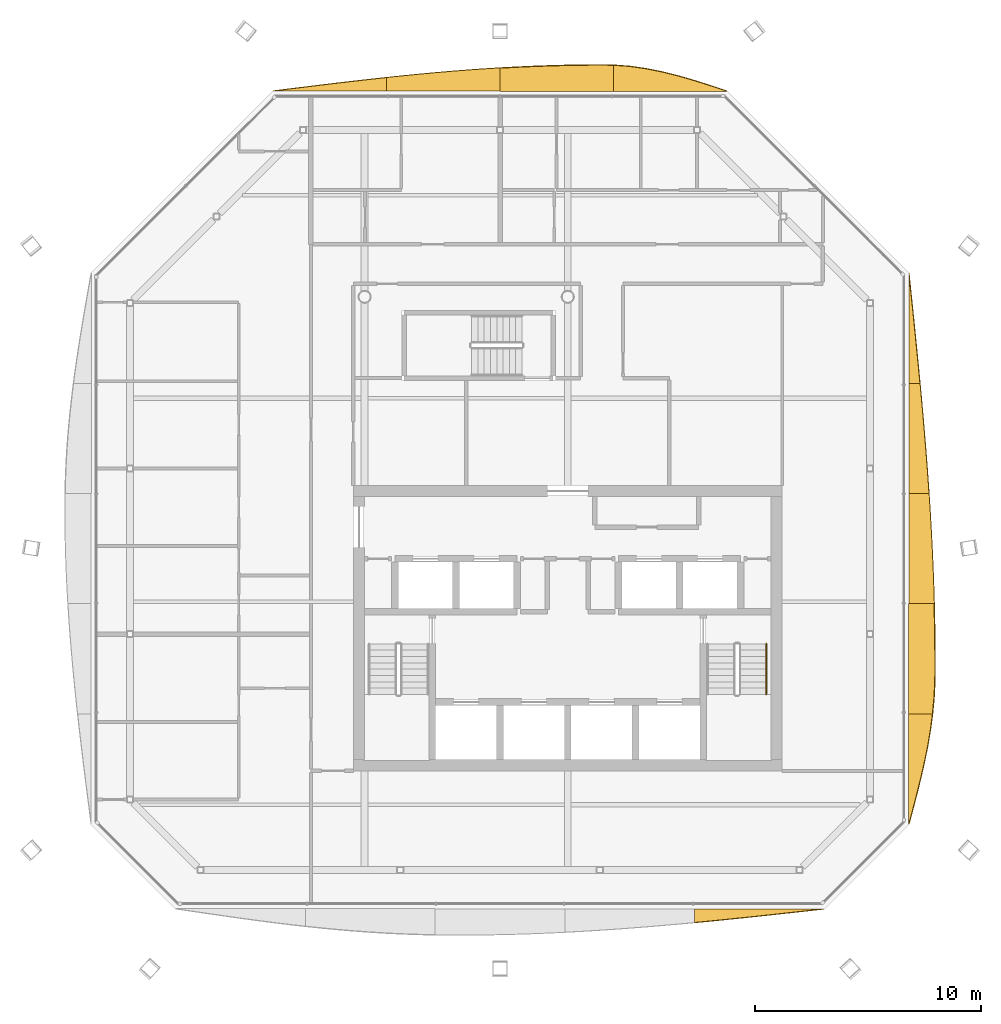
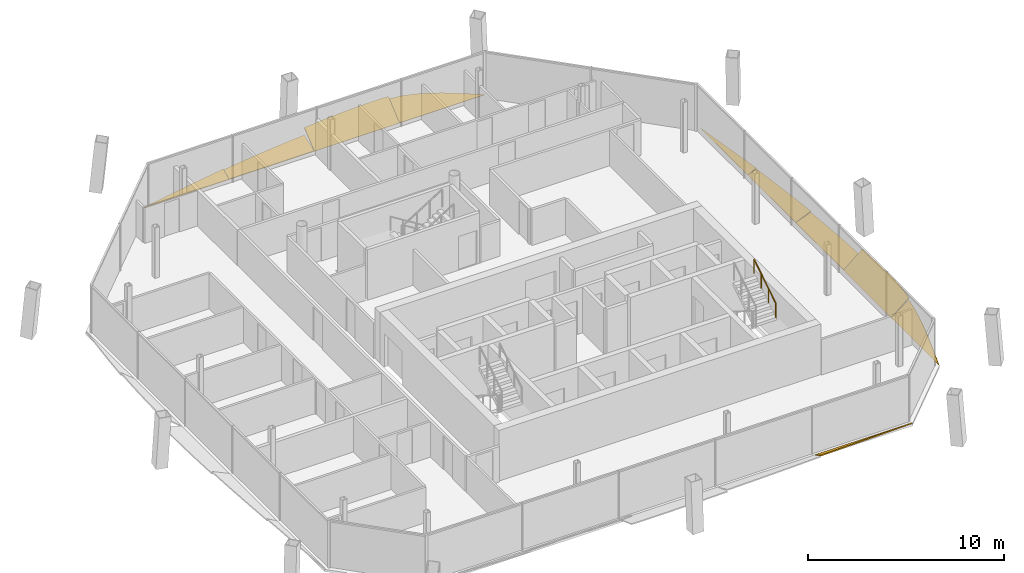
# One storey, part 15 of 15: 10 shading devices, 1 railing.
"""IFC4 building model written with IfcOpenShell, lengths in metres."""

import ifcopenshell
import ifcopenshell.guid

model = None  # the IFC model being written
_history = None  # IfcOwnerHistory: only IFC2X3 demands one
_inside = {}  # id of a spatial element -> (the spatial element, [elements in it])
_under = {}  # id of a project, library or spatial element -> (it, [spatial elements below it])
_declared = {}  # id of a project -> (the project, [libraries it declares])
_typed = {}  # id of a type object -> (the type object, [elements of that type])
_made_of = {}  # id of a material, layer set ... -> (it, [elements and type objects made of it])


def new_model(schema):
    """Start an empty IFC model of exactly this schema.

    Asked for "IFC4X3", IfcOpenShell would pick the latest addendum, in which some entities
    have other attributes; the version numbers below select the first issue.
    IFC2X3 requires an IfcOwnerHistory on every rooted entity: one is made here for all.
    """
    global model, _history
    if schema == "IFC4X3":
        model = ifcopenshell.file(schema_version=(4, 3, 0, 0))
    else:
        model = ifcopenshell.file(schema=schema)
    _inside.clear()
    _under.clear()
    _declared.clear()
    _typed.clear()
    _made_of.clear()
    _history = None
    if model.schema == "IFC2X3":
        org = make("IfcOrganization", Name="unknown")
        user = make(
            "IfcPersonAndOrganization",
            ThePerson=make("IfcPerson", FamilyName="unknown"),
            TheOrganization=org,
        )
        app = make(
            "IfcApplication",
            ApplicationDeveloper=org,
            Version="unknown",
            ApplicationFullName="unknown",
            ApplicationIdentifier="unknown",
        )
        _history = make(
            "IfcOwnerHistory",
            OwningUser=user,
            OwningApplication=app,
            ChangeAction="ADDED",
            CreationDate=0,
        )
    return model


def make(cls, **values):
    """One entity of the class cls with the attributes given. An attribute that is None is left unset."""
    return model.create_entity(
        cls, **{name: value for name, value in values.items() if value is not None}
    )


def rooted(cls, **values):
    """An entity with a GlobalId (a new one), such as an element, a storey or a relation."""
    return make(cls, GlobalId=ifcopenshell.guid.new(), OwnerHistory=_history, **values)


def si_unit(unit_type, name, prefix=None):
    """IfcSIUnit, for example si_unit("LENGTHUNIT", "METRE", prefix="MILLI")."""
    return make("IfcSIUnit", UnitType=unit_type, Prefix=prefix, Name=name)


def assignment(units):
    """IfcUnitAssignment: the units of a project."""
    return None if units is None else make("IfcUnitAssignment", Units=units)


def point(xyz):
    """IfcCartesianPoint."""
    return None if xyz is None else make("IfcCartesianPoint", Coordinates=xyz)


def direction(xyz):
    """IfcDirection."""
    return None if xyz is None else make("IfcDirection", DirectionRatios=xyz)


def frame(location, z_axis=None, x_axis=None):
    """IfcAxis2Placement3D, a coordinate frame: its origin and axes. An axis left out is left unset."""
    return make(
        "IfcAxis2Placement3D",
        Location=point(location),
        Axis=direction(z_axis),
        RefDirection=direction(x_axis),
    )


def frame_2d(location, x_axis=None):
    """IfcAxis2Placement2D, a coordinate frame in the plane: its origin and x axis."""
    return make(
        "IfcAxis2Placement2D", Location=point(location), RefDirection=direction(x_axis)
    )


def origin():
    """The frame at (0, 0, 0) with its axes left unset."""
    return frame((0.0, 0.0, 0.0))


def origin_2d():
    """The frame at (0, 0) in the plane with its x axis left unset."""
    return frame_2d((0.0, 0.0))


def place(relative_to, where):
    """IfcLocalPlacement: puts the frame where relative to a parent placement (None: the world)."""
    return make(
        "IfcLocalPlacement", PlacementRelTo=relative_to, RelativePlacement=where
    )


def context(
    kind, dimensions, precision=None, world=None, true_north=None, identifier=None
):
    """IfcGeometricRepresentationContext, for example the 3D "Model" context."""
    return make(
        "IfcGeometricRepresentationContext",
        ContextIdentifier=identifier,
        ContextType=kind,
        CoordinateSpaceDimension=dimensions,
        Precision=precision,
        WorldCoordinateSystem=world,
        TrueNorth=true_north,
    )


def subcontext(parent, identifier, kind, view, scale=None):
    """IfcGeometricRepresentationSubContext, for example "Body" below "Model"."""
    return make(
        "IfcGeometricRepresentationSubContext",
        ContextIdentifier=identifier,
        ContextType=kind,
        ParentContext=parent,
        TargetScale=scale,
        TargetView=view,
    )


def project(units=None, contexts=None):
    """IfcProject with its units and contexts."""
    return rooted(
        "IfcProject",
        Name="project",
        RepresentationContexts=contexts,
        UnitsInContext=assignment(units),
    )


def spatial(cls, under=None, at=None, **own):
    """A site, building, storey or space (cls), placed at a placement, below another one or the project."""
    s = rooted(cls, ObjectPlacement=at, **own)
    if under is not None:
        _under.setdefault(under.id(), (under, []))[1].append(s)
    return s


def polyline(points):
    """IfcPolyline through the points."""
    return make("IfcPolyline", Points=[point(p) for p in points])


def profile(cls, at=None, kind="AREA", **sizes):
    """A parametric profile (cls). Its sizes go by their IFC names, for example OverallWidth=200.0."""
    return make(cls, ProfileType=kind, Position=at, **sizes)


def circle(**sizes):
    """IfcCircleProfileDef."""
    return profile("IfcCircleProfileDef", **sizes)


def outline(outer, holes=None, kind="AREA"):
    """IfcArbitraryClosedProfileDef: a profile drawn as a closed curve; with holes, ...WithVoids."""
    if holes is None:
        return make("IfcArbitraryClosedProfileDef", ProfileType=kind, OuterCurve=outer)
    return make(
        "IfcArbitraryProfileDefWithVoids",
        ProfileType=kind,
        OuterCurve=outer,
        InnerCurves=holes,
    )


def extrude(swept, where, along, depth):
    """IfcExtrudedAreaSolid: the profile swept, set in the frame where, extruded along a direction by depth."""
    return make(
        "IfcExtrudedAreaSolid",
        SweptArea=swept,
        Position=where,
        ExtrudedDirection=direction(along),
        Depth=depth,
    )


def shape(context_of_items, identifier, shape_type, items):
    """IfcShapeRepresentation: the items that make up one representation, for example the "Body"."""
    return make(
        "IfcShapeRepresentation",
        ContextOfItems=context_of_items,
        RepresentationIdentifier=identifier,
        RepresentationType=shape_type,
        Items=items,
    )


def material(Name=None, Category=None):
    """IfcMaterial."""
    return make("IfcMaterial", Name=Name, Category=Category)


def layer(
    of_material, thickness, ventilated=None, Name=None, Category=None, Priority=None
):
    """IfcMaterialLayer: one layer of a wall or slab, of a material (None: an air gap)."""
    return make(
        "IfcMaterialLayer",
        Material=of_material,
        LayerThickness=thickness,
        IsVentilated=ventilated,
        Name=Name,
        Category=Category,
        Priority=Priority,
    )


def layer_set(layers, Name=None):
    """IfcMaterialLayerSet."""
    return make("IfcMaterialLayerSet", MaterialLayers=layers, LayerSetName=Name)


def made_of(thing, what):
    """Note that an element or type object is made of a material, layer set ...; save() writes the relation."""
    if what is not None:
        _made_of.setdefault(what.id(), (what, []))[1].append(thing)
    return thing


def type_object(cls, material=None, **own):
    """A type object (cls), such as IfcWallType, which elements share."""
    return made_of(rooted(cls, **own), material)


def element(
    cls,
    number,
    at=None,
    inside=None,
    cuts=None,
    type_object=None,
    material=None,
    context=None,
    identifier="Body",
    shape_type=None,
    held_by="IfcProductDefinitionShape",
    body=None,
    shapes=None,
    **own,
):
    """One element of the class cls, such as IfcWall. Its Tag is "e" and its number.

    at: its placement. inside: the storey or other place that contains it. cuts: it is an
    opening in that element (IfcRelVoidsElement). A single representation is given by context,
    identifier, shape_type and body (its items); several are given by shapes. held_by: the class
    of the entity that holds the representations. save() writes the other relations.
    """
    e = rooted(cls, Tag="e%d" % number, ObjectPlacement=at, **own)
    if body is not None:
        shapes = [shape(context, identifier, shape_type, body)]
    if shapes is not None:
        e.Representation = make(held_by, Representations=shapes)
    if inside is not None:
        _inside.setdefault(inside.id(), (inside, []))[1].append(e)
    if cuts is not None:
        rooted(
            "IfcRelVoidsElement", RelatingBuildingElement=cuts, RelatedOpeningElement=e
        )
    if type_object is not None:
        _typed.setdefault(type_object.id(), (type_object, []))[1].append(e)
    return made_of(e, material)


def aggregate(whole, parts):
    """IfcRelAggregates: a whole, such as a stair, and the parts it consists of."""
    return rooted("IfcRelAggregates", RelatingObject=whole, RelatedObjects=parts)


def save(model, path):
    """Write the relations noted so far, then the file.

    IfcRelAggregates (storeys below a building ...), IfcRelContainedInSpatialStructure (elements
    in a storey), IfcRelDefinesByType, IfcRelAssociatesMaterial and IfcRelDeclares: one each for
    every whole, place, type object, material and project.
    """
    for whole, parts in _under.values():
        aggregate(whole, parts)
    for where, things in _inside.values():
        rooted(
            "IfcRelContainedInSpatialStructure",
            RelatedElements=things,
            RelatingStructure=where,
        )
    for kind, things in _typed.values():
        rooted("IfcRelDefinesByType", RelatedObjects=things, RelatingType=kind)
    for what, things in _made_of.values():
        rooted("IfcRelAssociatesMaterial", RelatedObjects=things, RelatingMaterial=what)
    for by, libraries in _declared.values():
        rooted("IfcRelDeclares", RelatingContext=by, RelatedDefinitions=libraries)
    model.write(path)


model = new_model("IFC4")

# Units and contexts
model_context = context("Model", 3, precision=1e-05, world=origin(), true_north=direction((0.0, 1.0)))
body_context = subcontext(model_context, "Body", "Model", "MODEL_VIEW")
ifc_project = project(units=[si_unit("LENGTHUNIT", "METRE"), si_unit("AREAUNIT", "SQUARE_METRE"), si_unit("VOLUMEUNIT", "CUBIC_METRE"), si_unit("PLANEANGLEUNIT", "RADIAN"), si_unit("MASSUNIT", "GRAM", prefix="KILO")], contexts=[model_context])

# Site, building, storey
site_placement = place(None, origin())
site = spatial("IfcSite", under=ifc_project, at=site_placement, CompositionType="ELEMENT")
building_placement = place(site_placement, origin())
building = spatial("IfcBuilding", under=site, at=building_placement, Name="Tskaro Facet Tower", CompositionType="ELEMENT")
storey_placement = place(building_placement, frame((0.0, 0.0, 239.25)))
storey = spatial("IfcBuildingStorey", under=building, at=storey_placement, Name="L62", CompositionType="ELEMENT", Elevation=239.25)

# Shading devices
ifc_material_1 = material(Name="Bronze anodised aluminium 6063-T6", Category="aluminium")
ifc_layer = layer(ifc_material_1, 0.06005859375, Name="Bronze anodised aluminium 6063-T6")
ifc_layer_set = layer_set([ifc_layer], Name="Bronze anodised aluminium 6063-T6")
shading_device_type = type_object("IfcShadingDeviceType", Name="Bronze sun blade (FN1)", PredefinedType="USERDEFINED", material=ifc_layer_set)
shading_device_1_placement = place(storey_placement, frame((5.6142578125, -18.10888671875, 0.052001953125), z_axis=(1.2767908e-05, 0.499765399402, 0.866160808047), x_axis=(0.999999999918, -6.380958e-06, -1.1059061e-05)))
element("IfcShadingDevice", 1, at=shading_device_1_placement, inside=storey, type_object=shading_device_type, Name="Fin blade south 5", ObjectType="FIN", PredefinedType="USERDEFINED", context=body_context, shape_type="SweptSolid", body=[
    extrude(outline(polyline([(0.0, 0.0), (5.742675780781917, 0.0), (5.024902345164131, -0.09208751937252466), (4.307128904872791, -0.18354064362191597), (3.589111328940668, -0.27420479867829833), (2.871337891244201, -0.3635676024555118), (2.1535644523005253, -0.45129557687553845), (1.4355468737688906, -0.5367217657823428), (0.717773436899257, -0.6198461691759247), (-9.069429287439368e-10, -0.6999123788961776), (0.0, 0.0)])), origin(), (0.0, 0.0, -1.0), 0.06005859375),
])
shading_device_2_placement = place(storey_placement, frame((15.1044921875, -14.35693359375, 0.049072265625), z_axis=(-0.573587916908, -1.1432785e-05, 0.819144005317), x_axis=(-6.557708e-06, 0.999999999935, 9.365098e-06)))
element("IfcShadingDevice", 2, at=shading_device_2_placement, inside=storey, type_object=shading_device_type, Name="Fin blade east 1", ObjectType="FIN", PredefinedType="USERDEFINED", context=body_context, shape_type="SweptSolid", body=[
    extrude(outline(polyline([(0.0, 0.0), (4.881835937180951, 4.135075882152585e-21), (4.881835937906982, -1.2819299738617114), (4.184326171155234, -1.1680055178575965), (3.486816405371319, -1.0237398922609762), (2.7895507809447895, -0.8529932443673396), (2.092041017075647, -0.6599657439141473), (1.394775391346218, -0.44979754206914024), (0.6972656234116925, -0.22790886222513018), (0.0, 0.0)])), origin(), (0.0, 0.0, -1.0), 0.06005859375),
])
shading_device_3_placement = place(storey_placement, frame((15.100341796875, -9.47509765625, 0.0458984375), z_axis=(-0.642795497638, 1.3181781e-05, 0.766037824159), x_axis=(8.47319e-06, 0.999999999913, -1.0097743e-05)))
element("IfcShadingDevice", 3, at=shading_device_3_placement, inside=storey, type_object=shading_device_type, Name="Fin blade east 2", ObjectType="FIN", PredefinedType="USERDEFINED", context=body_context, shape_type="SweptSolid", body=[
    extrude(outline(polyline([(0.0, 0.0), (4.8815917964508895, 0.0), (4.881591798198105, -1.4624292581770688), (4.184326170941252, -1.4842487676774578), (3.486816407336681, -1.5003780010609185), (2.789550779566513, -1.5107567814101988), (2.092041015448628, -1.5154452856425504), (1.9038085935899816, -1.5154452856425504), (1.3947753912713026, -1.5048794843400901), (0.6972656239647109, -1.4568658260960683), (1.0596900323922055e-10, -1.3707464924736428), (0.0, 0.0)])), origin(), (0.0, 0.0, -1.0), 0.06005859375),
])
shading_device_4_placement = place(storey_placement, frame((15.118408203125, -4.593505859375, 0.056396484375), z_axis=(-0.342012717691, -5.490502e-06, 0.939695323447), x_axis=(-1.877822e-06, 0.999999999985, 5.159399e-06)))
element("IfcShadingDevice", 4, at=shading_device_4_placement, inside=storey, type_object=shading_device_type, Name="Fin blade east 3", ObjectType="FIN", PredefinedType="USERDEFINED", context=body_context, shape_type="SweptSolid", body=[
    extrude(outline(polyline([(0.0, 0.0), (4.881835937426417, -1.0337689705381463e-21), (4.881835937427334, -0.9444031558330095), (4.184570312477048, -0.9922104780015712), (3.487060546679292, -1.0358461201209266), (2.789794921626773, -1.0758524169968902), (2.0922851561852367, -1.1114576160200682), (1.395019531146224, -1.1428911349940396), (0.6975097661766465, -1.1696941383116461), (-2.7502284718630774e-10, -1.1922419623813898), (0.0, 0.0)])), origin(), (0.0, 0.0, -1.0), 0.06005859375),
])
shading_device_5_placement = place(storey_placement, frame((15.113525390625, 0.288330078125, 0.054443359375), z_axis=(-0.422444933481, 1.8498443e-05, 0.906388590966), x_axis=(7.814574e-06, 0.999999999829, -1.6766778e-05)))
element("IfcShadingDevice", 5, at=shading_device_5_placement, inside=storey, type_object=shading_device_type, Name="Fin blade east 4", ObjectType="FIN", PredefinedType="USERDEFINED", context=body_context, shape_type="SweptSolid", body=[
    extrude(outline(polyline([(0.0, 0.0), (4.881835936664737, -4.135075882152585e-21), (4.88183593862996, -0.5400079817229766), (4.184570313928399, -0.6111132832081138), (3.487060547804991, -0.6798144643186644), (2.789550778976842, -0.7458902387774993), (2.0922851562558122, -0.8091343346444068), (1.3947753904828235, -0.8692073153352342), (0.6975097629077925, -0.9261091808499816), (-1.4401487582630995e-09, -0.979412372971308), (0.0, 0.0)])), origin(), (0.0, 0.0, -1.0), 0.06005859375),
])
shading_device_6_placement = place(storey_placement, frame((15.10888671875, 5.170166015625, 0.052001953125), z_axis=(-0.499569928924, 3.2305677e-05, 0.866273562491), x_axis=(1.6138945e-05, 0.999999999478, -2.7985554e-05)))
element("IfcShadingDevice", 6, at=shading_device_6_placement, inside=storey, type_object=shading_device_type, Name="Fin blade east 5", ObjectType="FIN", PredefinedType="USERDEFINED", context=body_context, shape_type="SweptSolid", body=[
    extrude(outline(polyline([(0.0, 0.0), (4.8818359349525196, 0.0), (4.1843261744726234, -0.08333590395327173), (3.4870605467372577, -0.16624882276838762), (2.7895507773290853, -0.24861679113060528), (2.0922851572225007, -0.329984385841362), (1.3947753904550049, -0.4100505870772443), (0.6975097611685807, -0.48848193695443193), (-5.054105738668658e-09, -0.5651564701581824), (0.0, 0.0)])), origin(), (0.0, 0.0, -1.0), 0.06005859375),
])
shading_device_7_placement = place(storey_placement, frame((7.052001953125, 18.1044921875, 0.049072265625), z_axis=(5.510992e-06, -0.573581527587, 0.819148479325), x_axis=(-0.999999999985, -3.161003e-06, 4.514321e-06)))
element("IfcShadingDevice", 7, at=shading_device_7_placement, inside=storey, type_object=shading_device_type, Name="Fin blade north 1", ObjectType="FIN", PredefinedType="USERDEFINED", context=body_context, shape_type="SweptSolid", body=[
    extrude(outline(polyline([(0.0, 0.0), (5.026123046798675, -2.1286459088286476e-21), (5.026123046883925, -1.4058747955770783), (4.308105468933327, -1.3394322103238565), (3.5900878906977263, -1.2160273974702214), (2.872070312613676, -1.0410805797912757), (2.154052734124138, -0.8219720302246574), (1.4360351558827427, -0.5683221409758115), (0.7180175781017923, -0.29029131364624483), (0.0, 0.0)])), origin(), (0.0, 0.0, -1.0), 0.06005859375),
])
shading_device_8_placement = place(storey_placement, frame((2.02587890625, 18.100341796875, 0.0458984375), z_axis=(6.265915e-06, -0.642780771511, 0.766050180952), x_axis=(-0.99999999998, -4.02761e-06, 4.800005e-06)))
element("IfcShadingDevice", 8, at=shading_device_8_placement, inside=storey, type_object=shading_device_type, Name="Fin blade north 2", ObjectType="FIN", PredefinedType="USERDEFINED", context=body_context, shape_type="SweptSolid", body=[
    extrude(outline(polyline([(0.0, 0.0), (5.025878906151338, -2.1285425112520785e-21), (5.0258789066168035, -1.33573639694362), (4.307861328397393, -1.3870326575128016), (3.5898437499625855, -1.4300138590784037), (2.871826171123809, -1.4643360487711665), (2.15380859403624, -1.489969131520425), (1.4357910153728264, -1.5067862734975461), (0.7177734372887452, -1.514757379631865), (0.4421386720463025, -1.5154452853703857), (4.545998602496136e-11, -1.5033166497342774), (0.0, 0.0)])), origin(), (0.0, 0.0, -1.0), 0.06005859375),
])
shading_device_9_placement = place(storey_placement, frame((-3.0, 18.118408203125, 0.056396484375), z_axis=(3.828587e-06, -0.341971439669, 0.93971034603), x_axis=(-0.999999999993, -1.309267e-06, 3.597763e-06)))
element("IfcShadingDevice", 9, at=shading_device_9_placement, inside=storey, type_object=shading_device_type, Name="Fin blade north 3", ObjectType="FIN", PredefinedType="USERDEFINED", context=body_context, shape_type="SweptSolid", body=[
    extrude(outline(polyline([(0.0, 0.0), (5.0258789062131655, 1.0642712556260392e-21), (5.025878906181639, -0.6346984827237268), (4.308105469251745, -0.7142522344645796), (3.5900878903430122, -0.7897802402903312), (2.872070312237382, -0.8604483034371929), (2.1540527340564934, -0.9261729347841514), (1.4360351564396368, -0.9864952913888059), (0.7180175782693826, -1.0407895520667283), (-1.346230322343978e-10, -1.0888262953467178), (0.0, 0.0)])), origin(), (0.0, 0.0, -1.0), 0.06005859375),
])
shading_device_10_placement = place(storey_placement, frame((-8.02587890625, 18.113525390625, 0.054443359375), z_axis=(-3.6413318e-05, -0.422313274115, 0.906449941905), x_axis=(-0.999999999337, 1.5377828e-05, -3.300685e-05)))
element("IfcShadingDevice", 10, at=shading_device_10_placement, inside=storey, type_object=shading_device_type, Name="Fin blade north 4", ObjectType="FIN", PredefinedType="USERDEFINED", context=body_context, shape_type="SweptSolid", body=[
    extrude(outline(polyline([(0.0, 0.0), (5.0261230435428565, 8.51458363531459e-21), (4.308105473828012, -0.09874521131518113), (3.5900878890957553, -0.1966052176083835), (2.8720703092170683, -0.2935951124815885), (2.1540527352911667, -0.38862348325930407), (1.4360351555053845, -0.48157213251279224), (0.7180175709589378, -0.5713496475665608), (-6.53550758298399e-09, -0.6580742258493479), (0.0, 0.0)])), origin(), (0.0, 0.0, -1.0), 0.06005859375),
])

# Railing
ifc_material_2 = material(Name="Stainless steel", Category="steel")
railing_type = type_object("IfcRailingType", Name="RL-HANDRAIL-900", PredefinedType="HANDRAIL", material=ifc_material_2)
railing_placement = place(storey_placement, frame((8.800048828125, -8.614990234375, 1.75)))
element("IfcRailing", 11, at=railing_placement, inside=storey, type_object=railing_type, Name="L62 ST-2 stair handrail 2", PredefinedType="HANDRAIL", context=body_context, shape_type="SweptSolid", body=[
    extrude(circle(Radius=0.02392578125, at=origin_2d()), frame((0.0, 0.0, 0.8759765625), z_axis=(0.0, 0.848013881152, 0.529974015752), x_axis=(-1.0, 0.0, 0.0)), (0.0, 0.0, 1.0), 2.641357421875),
    extrude(circle(Radius=0.02099609375, at=origin_2d()), origin(), (0.0, 0.0, 1.0), 0.851806640625),
    extrude(circle(Radius=0.02099609375, at=origin_2d()), frame((0.0, 0.74658203125, 0.466552734375)), (0.0, 0.0, 1.0), 0.851806640625),
    extrude(circle(Radius=0.02099609375, at=origin_2d()), frame((0.0, 1.493408203125, 0.933349609375)), (0.0, 0.0, 1.0), 0.851806640625),
    extrude(circle(Radius=0.02099609375, at=origin_2d()), frame((0.0, 2.239990234375, 1.39990234375)), (0.0, 0.0, 1.0), 0.851806640625),
])

save(model, "model.ifc")
